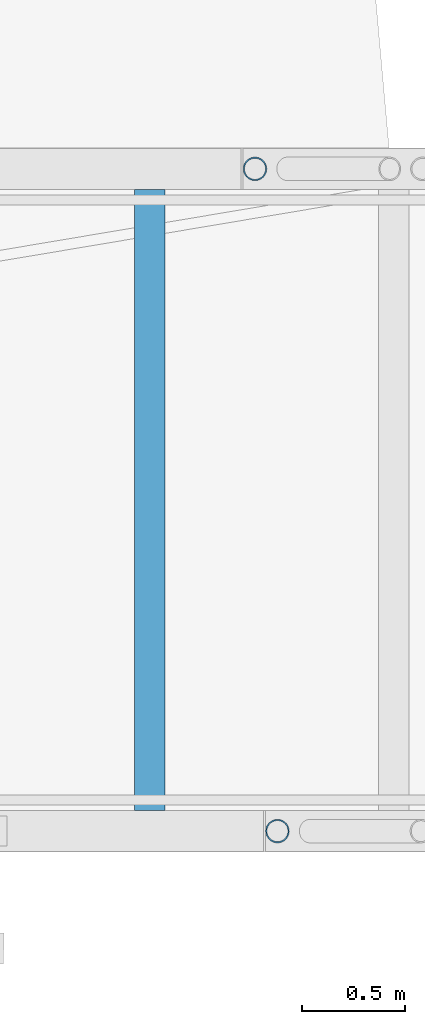
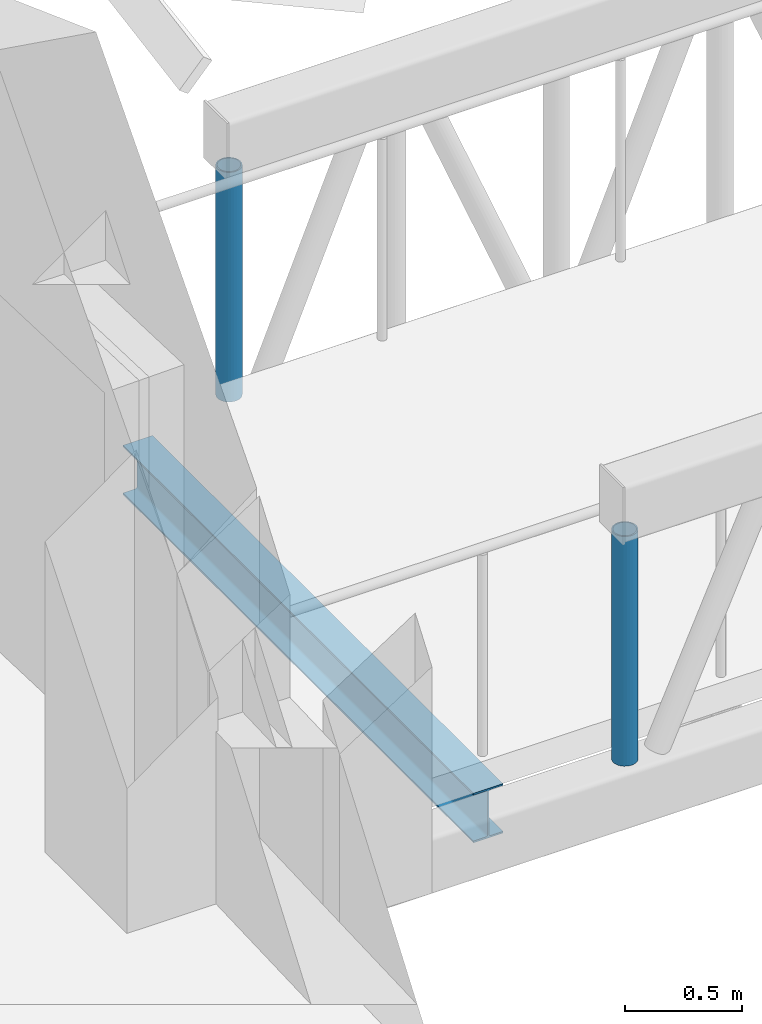
# One storey, part 8 of 56: 2 members, 1 beam.
"""IFC4 building model written with IfcOpenShell, lengths in metres."""

from ifc_helpers import new_model, si_unit, direction, frame, origin, origin_2d, place, context, subcontext, project, spatial, hollow_circle, i_section, extrude, material, material_profile, profile_set, type_object, element, save


model = new_model("IFC4")

# Units and contexts
model_context = context("Model", 3, precision=1e-05, world=origin(), true_north=direction((0.0, 1.0)))
body_context = subcontext(model_context, "Body", "Model", "MODEL_VIEW")
ifc_project = project(units=[si_unit("LENGTHUNIT", "METRE"), si_unit("AREAUNIT", "SQUARE_METRE"), si_unit("VOLUMEUNIT", "CUBIC_METRE"), si_unit("PLANEANGLEUNIT", "RADIAN"), si_unit("MASSUNIT", "GRAM", prefix="KILO")], contexts=[model_context])

# Site, building, storey
site_placement = place(None, origin())
site = spatial("IfcSite", under=ifc_project, at=site_placement, CompositionType="ELEMENT")
building_placement = place(site_placement, origin())
building = spatial("IfcBuilding", under=site, at=building_placement, Name="Tide Square Theatres", CompositionType="ELEMENT")
storey_placement = place(building_placement, frame((0.0, 0.0, 10.199951171875)))
storey = spatial("IfcBuildingStorey", under=building, at=storey_placement, Name="L02", CompositionType="ELEMENT", Elevation=10.199951171875)

# Beam
ifc_material_1 = material(Name="Steel ASTM A572 Grade 50", Category="steel")
ifc_material_profile_1 = material_profile(ifc_material_1, i_section(OverallWidth=0.14599609375, OverallDepth=0.258056640625, WebThickness=0.006103515625, FlangeThickness=0.009033203125, FilletRadius=0.010009765625, at=origin_2d()))
ifc_profile_set_1 = profile_set([ifc_material_profile_1], Name="Steel ASTM A572 Grade 50")
beam_type = type_object("IfcBeamType", Name="Steel beam W 250 x 32.7", PredefinedType="BEAM", material=ifc_profile_set_1)
beam_placement = place(storey_placement, frame((52.83056640625, 44.5, -0.280029296875), z_axis=(0.0, 1.0, 0.0), x_axis=(-1.0, 0.0, 0.0)))
element("IfcBeam", 1, at=beam_placement, inside=storey, type_object=beam_type, Name="Bridge BR-W2 cross beam", PredefinedType="BEAM", context=body_context, shape_type="SweptSolid", body=[
    extrude(i_section(OverallWidth=0.14599609375, OverallDepth=0.258056640625, WebThickness=0.006103515625, FlangeThickness=0.009033203125, FilletRadius=0.010009765625, at=origin_2d()), origin(), (0.0, 0.0, 1.0), 3.0),
])

# Members
ifc_material_2 = material(Name="Steel ASTM A500 Grade C", Category="steel")
ifc_material_profile_2 = material_profile(ifc_material_2, hollow_circle(Radius=0.05712890625, WallThickness=0.00634765625, at=origin_2d()))
ifc_profile_set_2 = profile_set([ifc_material_profile_2], Name="Steel ASTM A500 Grade C")
member_type = type_object("IfcMemberType", Name="Steel strut CHS 114.3 x 6.4", PredefinedType="STRUT", material=ifc_profile_set_2)
for number, where, z_axis, x_axis, name in (
    (2, (53.447265625, 44.39990234375, -0.14990234375), (0.0, 0.0, 1.0), (1.0, 0.0, 0.0), "Bridge BR-W2 post"),
    (3, (53.3388671875, 47.60009765625, -0.14990234375), (0.0, 0.0, 1.0), (1.0, 0.0, 0.0), "Bridge BR-W2 post"),
):
    element("IfcMember", number, at=place(storey_placement, frame(where, z_axis=z_axis, x_axis=x_axis)), inside=storey, type_object=member_type, Name=name, PredefinedType="STRUT", context=body_context, shape_type="SweptSolid", body=[
        extrude(hollow_circle(Radius=0.05712890625, WallThickness=0.00634765625, at=origin_2d()), origin(), (0.0, 0.0, 1.0), 1.199951171875),
    ])

save(model, "model.ifc")
